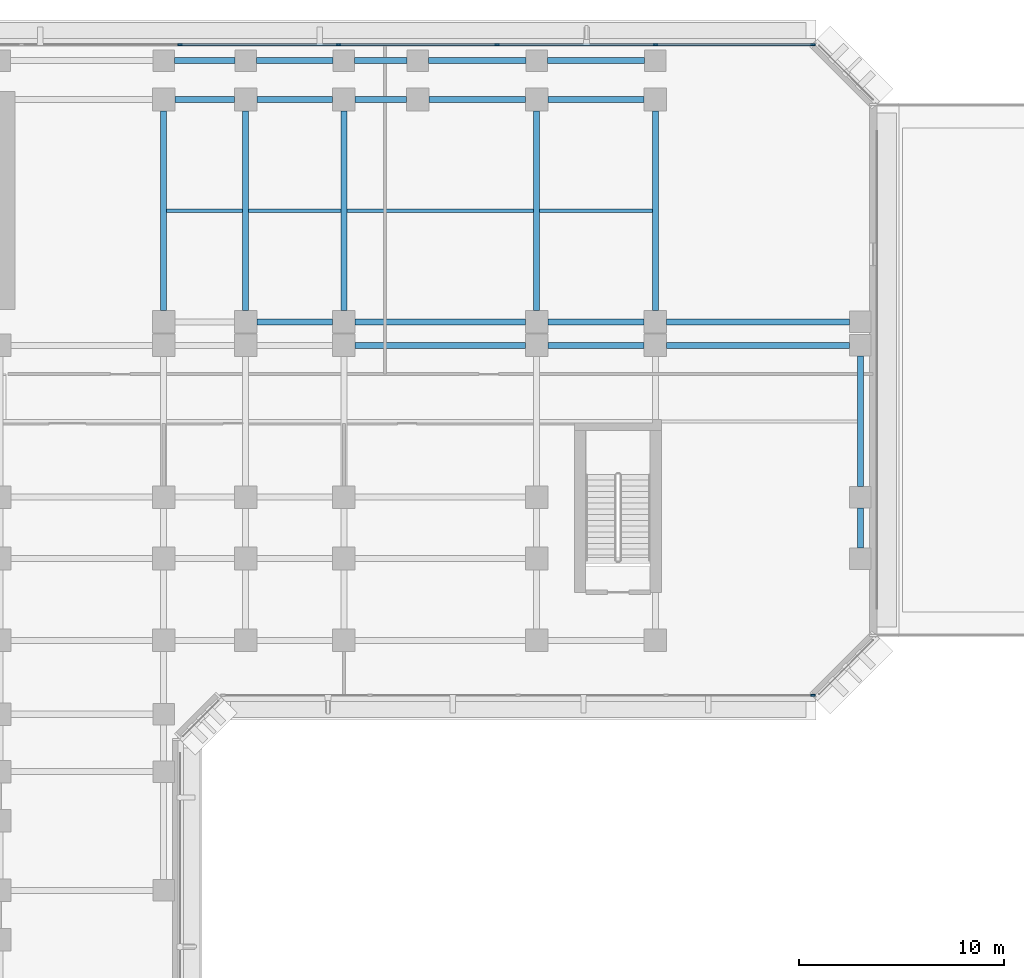
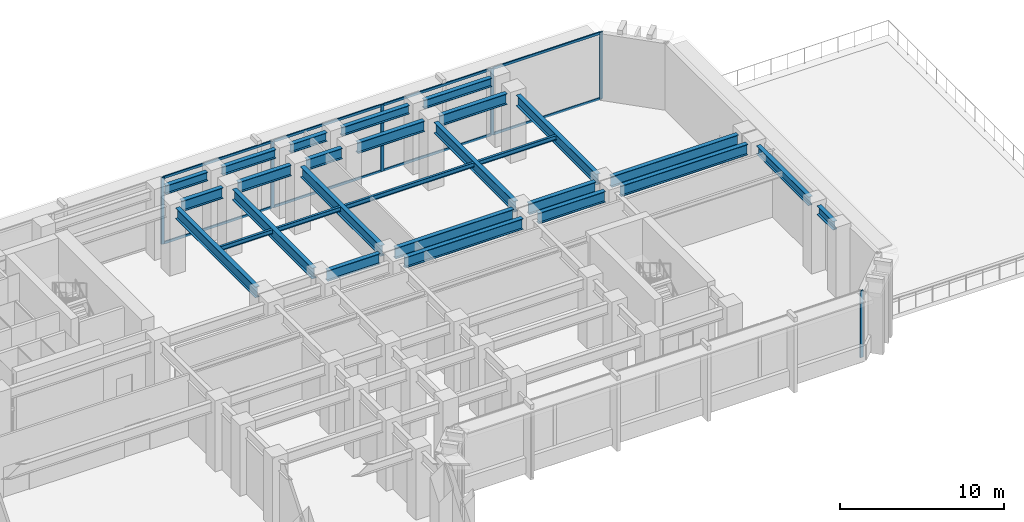
# One storey, part 5 of 16: 28 beams, 14 members, 2 elements without a shape of their own.
"""IFC4 building model written with IfcOpenShell, lengths in metres."""

from ifc_helpers import new_model, si_unit, direction, frame, origin, origin_2d, place, context, subcontext, project, spatial, rectangle, i_section, extrude, material, layer, layer_set, material_profile, profile_set, type_object, element, aggregate, save


model = new_model("IFC4")

# Units and contexts
model_context = context("Model", 3, precision=1e-05, world=origin(), true_north=direction((0.0, 1.0)))
body_context = subcontext(model_context, "Body", "Model", "MODEL_VIEW")
ifc_project = project(units=[si_unit("LENGTHUNIT", "METRE"), si_unit("AREAUNIT", "SQUARE_METRE"), si_unit("VOLUMEUNIT", "CUBIC_METRE"), si_unit("PLANEANGLEUNIT", "RADIAN"), si_unit("MASSUNIT", "GRAM", prefix="KILO")], contexts=[model_context])

# Site, building, storey
site_placement = place(None, origin())
site = spatial("IfcSite", under=ifc_project, at=site_placement, CompositionType="ELEMENT")
building_placement = place(site_placement, origin())
building = spatial("IfcBuilding", under=site, at=building_placement, Name="Kefirva Bronze Tower", CompositionType="ELEMENT")
storey_placement = place(building_placement, frame((0.0, 0.0, 11.219970703125)))
storey = spatial("IfcBuildingStorey", under=building, at=storey_placement, Name="L02", CompositionType="ELEMENT", Elevation=11.219970703125)

# Curtain wall, member
ifc_material_1 = material(Name="Bronze anodised aluminium", Category="aluminium")
ifc_layer = layer(ifc_material_1, 0.239990234375, Name="Bronze anodised aluminium")
ifc_layer_set = layer_set([ifc_layer], Name="Bronze anodised aluminium")
curtain_wall_type = type_object("IfcCurtainWallType", Name="Podium Double-Height Glazed Curtain Wall", PredefinedType="USERDEFINED", material=ifc_layer_set)
curtain_wall_1_placement = place(storey_placement, origin())
curtain_wall_1 = element("IfcCurtainWall", 1, at=curtain_wall_1_placement, inside=storey, type_object=curtain_wall_type, Name="L02 Curtain Wall 2", ObjectType="UNITISED CURTAIN WALL", PredefinedType="USERDEFINED")
ifc_material_profile_1 = material_profile(ifc_material_1, rectangle(XDim=0.090087890625, YDim=0.219970703125, at=origin_2d()), Name="ALU 90x220")
ifc_profile_set_1 = profile_set([ifc_material_profile_1], Name="Bronze anodised aluminium")
member_type_1 = type_object("IfcMemberType", Name="Bronze Mullion 90x220", PredefinedType="MULLION", material=ifc_profile_set_1)
member_1_placement = place(storey_placement, frame((62.89990234375, 16.1201171875, 0.0), z_axis=(0.0, 0.0, 1.0), x_axis=(0.0, 1.0, 0.0)))
member_1 = element("IfcMember", 2, at=member_1_placement, type_object=member_type_1, Name="CW-05 mullion 5", PredefinedType="MULLION", context=body_context, shape_type="SweptSolid", body=[
    extrude(rectangle(XDim=0.090087890625, YDim=0.219970703125, at=origin_2d()), origin(), (0.0, 0.0, 1.0), 4.9599609375),
])
aggregate(curtain_wall_1, [member_1])

# Curtain wall, members
curtain_wall_2_placement = place(storey_placement, origin())
curtain_wall_2 = element("IfcCurtainWall", 3, at=curtain_wall_2_placement, inside=storey, type_object=curtain_wall_type, Name="L02 Curtain Wall 3", ObjectType="UNITISED CURTAIN WALL", PredefinedType="USERDEFINED")
member_2_placement = place(storey_placement, frame((62.89990234375, 47.8798828125, 0.0), z_axis=(0.0, 0.0, 1.0), x_axis=(0.0, -1.0, 0.0)))
member_2 = element("IfcMember", 4, at=member_2_placement, type_object=member_type_1, Name="CW-05 mullion 1", PredefinedType="MULLION", context=body_context, shape_type="SweptSolid", body=[
    extrude(rectangle(XDim=0.090087890625, YDim=0.219970703125, at=origin_2d()), origin(), (0.0, 0.0, 1.0), 4.9599609375),
])
member_3_placement = place(storey_placement, frame((55.208740234375, 47.8798828125, 0.0), z_axis=(0.0, 0.0, 1.0), x_axis=(0.0, -1.0, 0.0)))
member_3 = element("IfcMember", 5, at=member_3_placement, type_object=member_type_1, Name="CW-05 mullion 2", PredefinedType="MULLION", context=body_context, shape_type="SweptSolid", body=[
    extrude(rectangle(XDim=0.090087890625, YDim=0.219970703125, at=origin_2d()), origin(), (0.0, 0.0, 1.0), 4.9599609375),
])
member_4_placement = place(storey_placement, frame((47.472412109375, 47.8798828125, 0.0), z_axis=(0.0, 0.0, 1.0), x_axis=(0.0, -1.0, 0.0)))
member_4 = element("IfcMember", 6, at=member_4_placement, type_object=member_type_1, Name="CW-05 mullion 3", PredefinedType="MULLION", context=body_context, shape_type="SweptSolid", body=[
    extrude(rectangle(XDim=0.090087890625, YDim=0.219970703125, at=origin_2d()), origin(), (0.0, 0.0, 1.0), 4.9599609375),
])
member_5_placement = place(storey_placement, frame((39.736328125, 47.8798828125, 0.0), z_axis=(0.0, 0.0, 1.0), x_axis=(0.0, -1.0, 0.0)))
member_5 = element("IfcMember", 7, at=member_5_placement, type_object=member_type_1, Name="CW-05 mullion 4", PredefinedType="MULLION", context=body_context, shape_type="SweptSolid", body=[
    extrude(rectangle(XDim=0.090087890625, YDim=0.219970703125, at=origin_2d()), origin(), (0.0, 0.0, 1.0), 4.9599609375),
])
member_6_placement = place(storey_placement, frame((32.0, 47.8798828125, 0.0), z_axis=(0.0, 0.0, 1.0), x_axis=(0.0, -1.0, 0.0)))
member_6 = element("IfcMember", 8, at=member_6_placement, type_object=member_type_1, Name="CW-05 mullion 5", PredefinedType="MULLION", context=body_context, shape_type="SweptSolid", body=[
    extrude(rectangle(XDim=0.090087890625, YDim=0.219970703125, at=origin_2d()), origin(), (0.0, 0.0, 1.0), 4.9599609375),
])
ifc_material_profile_2 = material_profile(ifc_material_1, rectangle(XDim=0.090087890625, YDim=0.179931640625, at=origin_2d()), Name="ALU 90x180")
ifc_profile_set_2 = profile_set([ifc_material_profile_2], Name="Bronze anodised aluminium")
member_type_2 = type_object("IfcMemberType", Name="Bronze Transom 90x180", PredefinedType="USERDEFINED", material=ifc_profile_set_2)
member_7_placement = place(storey_placement, frame((62.85498046875, 47.8798828125, 0.044921875), z_axis=(-1.0, 0.0, 0.0), x_axis=(0.0, -1.0, 0.0)))
member_7 = element("IfcMember", 9, at=member_7_placement, type_object=member_type_2, Name="CW-05 transom 1.1", ObjectType="TRANSOM", PredefinedType="USERDEFINED", context=body_context, shape_type="SweptSolid", body=[
    extrude(rectangle(XDim=0.090087890625, YDim=0.179931640625, at=origin_2d()), origin(), (0.0, 0.0, 1.0), 7.601318359375),
])
member_8_placement = place(storey_placement, frame((62.85498046875, 47.8798828125, 4.9150390625), z_axis=(-1.0, 0.0, 0.0), x_axis=(0.0, -1.0, 0.0)))
member_8 = element("IfcMember", 10, at=member_8_placement, type_object=member_type_2, Name="CW-05 transom 1.2", ObjectType="TRANSOM", PredefinedType="USERDEFINED", context=body_context, shape_type="SweptSolid", body=[
    extrude(rectangle(XDim=0.090087890625, YDim=0.179931640625, at=origin_2d()), origin(), (0.0, 0.0, 1.0), 7.601318359375),
])
member_9_placement = place(storey_placement, frame((55.163818359375, 47.8798828125, 0.044921875), z_axis=(-1.0, 0.0, 0.0), x_axis=(0.0, -1.0, 0.0)))
member_9 = element("IfcMember", 11, at=member_9_placement, type_object=member_type_2, Name="CW-05 transom 2.1", ObjectType="TRANSOM", PredefinedType="USERDEFINED", context=body_context, shape_type="SweptSolid", body=[
    extrude(rectangle(XDim=0.090087890625, YDim=0.179931640625, at=origin_2d()), origin(), (0.0, 0.0, 1.0), 7.646240234375),
])
member_10_placement = place(storey_placement, frame((55.163818359375, 47.8798828125, 4.9150390625), z_axis=(-1.0, 0.0, 0.0), x_axis=(0.0, -1.0, 0.0)))
member_10 = element("IfcMember", 12, at=member_10_placement, type_object=member_type_2, Name="CW-05 transom 2.2", ObjectType="TRANSOM", PredefinedType="USERDEFINED", context=body_context, shape_type="SweptSolid", body=[
    extrude(rectangle(XDim=0.090087890625, YDim=0.179931640625, at=origin_2d()), origin(), (0.0, 0.0, 1.0), 7.646240234375),
])
member_11_placement = place(storey_placement, frame((47.427490234375, 47.8798828125, 0.044921875), z_axis=(-1.0, 0.0, 0.0), x_axis=(0.0, -1.0, 0.0)))
member_11 = element("IfcMember", 13, at=member_11_placement, type_object=member_type_2, Name="CW-05 transom 3.1", ObjectType="TRANSOM", PredefinedType="USERDEFINED", context=body_context, shape_type="SweptSolid", body=[
    extrude(rectangle(XDim=0.090087890625, YDim=0.179931640625, at=origin_2d()), origin(), (0.0, 0.0, 1.0), 7.646240234375),
])
member_12_placement = place(storey_placement, frame((47.427490234375, 47.8798828125, 4.9150390625), z_axis=(-1.0, 0.0, 0.0), x_axis=(0.0, -1.0, 0.0)))
member_12 = element("IfcMember", 14, at=member_12_placement, type_object=member_type_2, Name="CW-05 transom 3.2", ObjectType="TRANSOM", PredefinedType="USERDEFINED", context=body_context, shape_type="SweptSolid", body=[
    extrude(rectangle(XDim=0.090087890625, YDim=0.179931640625, at=origin_2d()), origin(), (0.0, 0.0, 1.0), 7.646240234375),
])
member_13_placement = place(storey_placement, frame((39.691162109375, 47.8798828125, 0.044921875), z_axis=(-1.0, 0.0, 0.0), x_axis=(0.0, -1.0, 0.0)))
member_13 = element("IfcMember", 15, at=member_13_placement, type_object=member_type_2, Name="CW-05 transom 4.1", ObjectType="TRANSOM", PredefinedType="USERDEFINED", context=body_context, shape_type="SweptSolid", body=[
    extrude(rectangle(XDim=0.090087890625, YDim=0.179931640625, at=origin_2d()), origin(), (0.0, 0.0, 1.0), 7.646240234375),
])
member_14_placement = place(storey_placement, frame((39.691162109375, 47.8798828125, 4.9150390625), z_axis=(-1.0, 0.0, 0.0), x_axis=(0.0, -1.0, 0.0)))
member_14 = element("IfcMember", 16, at=member_14_placement, type_object=member_type_2, Name="CW-05 transom 4.2", ObjectType="TRANSOM", PredefinedType="USERDEFINED", context=body_context, shape_type="SweptSolid", body=[
    extrude(rectangle(XDim=0.090087890625, YDim=0.179931640625, at=origin_2d()), origin(), (0.0, 0.0, 1.0), 7.646240234375),
])
aggregate(curtain_wall_2, [member_2, member_3, member_4, member_5, member_6, member_7, member_8, member_9, member_10, member_11, member_12, member_13, member_14])

# Beams
ifc_material_2 = material(Name="Steel S355", Category="steel")
ifc_material_profile_3 = material_profile(ifc_material_2, i_section(OverallWidth=0.159912109375, OverallDepth=0.330078125, WebThickness=0.007568359375, FlangeThickness=0.011474609375, at=origin_2d()), Name="IPE 330")
ifc_profile_set_3 = profile_set([ifc_material_profile_3], Name="Steel S355")
beam_type_1 = type_object("IfcBeamType", Name="Steel Floor Joist IPE 330", PredefinedType="JOIST", material=ifc_profile_set_3)
beam_1_placement = place(storey_placement, frame((31.35009765625, 39.77490234375, 4.794921875), z_axis=(1.0, 0.0, 0.0), x_axis=(0.0, 1.0, 0.0)))
element("IfcBeam", 17, at=beam_1_placement, inside=storey, type_object=beam_type_1, Name="L02 JST-L02-31-397", PredefinedType="JOIST", context=body_context, shape_type="SweptSolid", body=[
    extrude(i_section(OverallWidth=0.159912109375, OverallDepth=0.330078125, WebThickness=0.007568359375, FlangeThickness=0.011474609375, at=origin_2d()), origin(), (0.0, 0.0, 1.0), 3.699951171875),
])
beam_2_placement = place(storey_placement, frame((35.35009765625, 39.77490234375, 4.794921875), z_axis=(1.0, 0.0, 0.0), x_axis=(0.0, 1.0, 0.0)))
element("IfcBeam", 18, at=beam_2_placement, inside=storey, type_object=beam_type_1, Name="L02 JST-L02-35-397", PredefinedType="JOIST", context=body_context, shape_type="SweptSolid", body=[
    extrude(i_section(OverallWidth=0.159912109375, OverallDepth=0.330078125, WebThickness=0.007568359375, FlangeThickness=0.011474609375, at=origin_2d()), origin(), (0.0, 0.0, 1.0), 4.5),
])
beam_3_placement = place(storey_placement, frame((40.14990234375, 39.77490234375, 4.794921875), z_axis=(1.0, 0.0, 0.0), x_axis=(0.0, 1.0, 0.0)))
element("IfcBeam", 19, at=beam_3_placement, inside=storey, type_object=beam_type_1, Name="L02 JST-L02-40-397", PredefinedType="JOIST", context=body_context, shape_type="SweptSolid", body=[
    extrude(i_section(OverallWidth=0.159912109375, OverallDepth=0.330078125, WebThickness=0.007568359375, FlangeThickness=0.011474609375, at=origin_2d()), origin(), (0.0, 0.0, 1.0), 9.10009765625),
])
beam_4_placement = place(storey_placement, frame((49.550048828125, 39.77490234375, 4.794921875), z_axis=(1.0, 0.0, 0.0), x_axis=(0.0, 1.0, 0.0)))
element("IfcBeam", 20, at=beam_4_placement, inside=storey, type_object=beam_type_1, Name="L02 JST-L02-49-397", PredefinedType="JOIST", context=body_context, shape_type="SweptSolid", body=[
    extrude(i_section(OverallWidth=0.159912109375, OverallDepth=0.330078125, WebThickness=0.007568359375, FlangeThickness=0.011474609375, at=origin_2d()), origin(), (0.0, 0.0, 1.0), 5.5),
])
ifc_material_profile_4 = material_profile(ifc_material_2, i_section(OverallWidth=0.300048828125, OverallDepth=0.800048828125, WebThickness=0.017578125, FlangeThickness=0.032958984375, at=origin_2d()), Name="HEB 800")
ifc_profile_set_4 = profile_set([ifc_material_profile_4], Name="Steel S355")
beam_type_2 = type_object("IfcBeamType", Name="Steel Girder HEB 800", PredefinedType="USERDEFINED", material=ifc_profile_set_4)
beam_5_placement = place(storey_placement, frame((40.550048828125, 33.199951171875, 4.56005859375), z_axis=(1.0, 0.0, 0.0), x_axis=(0.0, 1.0, 0.0)))
element("IfcBeam", 21, at=beam_5_placement, inside=storey, type_object=beam_type_2, Name="L02 BM-L02-EW-40-332", ObjectType="GIRDER", PredefinedType="USERDEFINED", context=body_context, shape_type="SweptSolid", body=[
    extrude(i_section(OverallWidth=0.300048828125, OverallDepth=0.800048828125, WebThickness=0.017578125, FlangeThickness=0.032958984375, at=origin_2d()), origin(), (0.0, 0.0, 1.0), 8.300048828125),
])
beam_6_placement = place(storey_placement, frame((49.949951171875, 33.199951171875, 4.56005859375), z_axis=(1.0, 0.0, 0.0), x_axis=(0.0, 1.0, 0.0)))
element("IfcBeam", 22, at=beam_6_placement, inside=storey, type_object=beam_type_2, Name="L02 BM-L02-EW-49-332", ObjectType="GIRDER", PredefinedType="USERDEFINED", context=body_context, shape_type="SweptSolid", body=[
    extrude(i_section(OverallWidth=0.300048828125, OverallDepth=0.800048828125, WebThickness=0.017578125, FlangeThickness=0.032958984375, at=origin_2d()), origin(), (0.0, 0.0, 1.0), 4.699951171875),
])
beam_7_placement = place(storey_placement, frame((55.75, 33.199951171875, 4.56005859375), z_axis=(1.0, 0.0, 0.0), x_axis=(0.0, 1.0, 0.0)))
element("IfcBeam", 23, at=beam_7_placement, inside=storey, type_object=beam_type_2, Name="L02 BM-L02-EW-55-332", ObjectType="GIRDER", PredefinedType="USERDEFINED", context=body_context, shape_type="SweptSolid", body=[
    extrude(i_section(OverallWidth=0.300048828125, OverallDepth=0.800048828125, WebThickness=0.017578125, FlangeThickness=0.032958984375, at=origin_2d()), origin(), (0.0, 0.0, 1.0), 8.925048828125),
])
beam_8_placement = place(storey_placement, frame((35.75, 34.35009765625, 4.56005859375), z_axis=(1.0, 0.0, 0.0), x_axis=(0.0, 1.0, 0.0)))
element("IfcBeam", 24, at=beam_8_placement, inside=storey, type_object=beam_type_2, Name="L02 BM-L02-EW-35-344", ObjectType="GIRDER", PredefinedType="USERDEFINED", context=body_context, shape_type="SweptSolid", body=[
    extrude(i_section(OverallWidth=0.300048828125, OverallDepth=0.800048828125, WebThickness=0.017578125, FlangeThickness=0.032958984375, at=origin_2d()), origin(), (0.0, 0.0, 1.0), 3.699951171875),
])
beam_9_placement = place(storey_placement, frame((40.550048828125, 34.35009765625, 4.56005859375), z_axis=(1.0, 0.0, 0.0), x_axis=(0.0, 1.0, 0.0)))
element("IfcBeam", 25, at=beam_9_placement, inside=storey, type_object=beam_type_2, Name="L02 BM-L02-EW-40-344", ObjectType="GIRDER", PredefinedType="USERDEFINED", context=body_context, shape_type="SweptSolid", body=[
    extrude(i_section(OverallWidth=0.300048828125, OverallDepth=0.800048828125, WebThickness=0.017578125, FlangeThickness=0.032958984375, at=origin_2d()), origin(), (0.0, 0.0, 1.0), 8.300048828125),
])
beam_10_placement = place(storey_placement, frame((49.949951171875, 34.35009765625, 4.56005859375), z_axis=(1.0, 0.0, 0.0), x_axis=(0.0, 1.0, 0.0)))
element("IfcBeam", 26, at=beam_10_placement, inside=storey, type_object=beam_type_2, Name="L02 BM-L02-EW-49-344", ObjectType="GIRDER", PredefinedType="USERDEFINED", context=body_context, shape_type="SweptSolid", body=[
    extrude(i_section(OverallWidth=0.300048828125, OverallDepth=0.800048828125, WebThickness=0.017578125, FlangeThickness=0.032958984375, at=origin_2d()), origin(), (0.0, 0.0, 1.0), 4.699951171875),
])
beam_11_placement = place(storey_placement, frame((55.75, 34.35009765625, 4.56005859375), z_axis=(1.0, 0.0, 0.0), x_axis=(0.0, 1.0, 0.0)))
element("IfcBeam", 27, at=beam_11_placement, inside=storey, type_object=beam_type_2, Name="L02 BM-L02-EW-55-344", ObjectType="GIRDER", PredefinedType="USERDEFINED", context=body_context, shape_type="SweptSolid", body=[
    extrude(i_section(OverallWidth=0.300048828125, OverallDepth=0.800048828125, WebThickness=0.017578125, FlangeThickness=0.032958984375, at=origin_2d()), origin(), (0.0, 0.0, 1.0), 8.925048828125),
])
beam_12_placement = place(storey_placement, frame((31.75, 45.199951171875, 4.56005859375), z_axis=(1.0, 0.0, 0.0), x_axis=(0.0, 1.0, 0.0)))
element("IfcBeam", 28, at=beam_12_placement, inside=storey, type_object=beam_type_2, Name="L02 BM-L02-EW-31-452", ObjectType="GIRDER", PredefinedType="USERDEFINED", context=body_context, shape_type="SweptSolid", body=[
    extrude(i_section(OverallWidth=0.300048828125, OverallDepth=0.800048828125, WebThickness=0.017578125, FlangeThickness=0.032958984375, at=origin_2d()), origin(), (0.0, 0.0, 1.0), 2.89990234375),
])
beam_13_placement = place(storey_placement, frame((35.75, 45.199951171875, 4.56005859375), z_axis=(1.0, 0.0, 0.0), x_axis=(0.0, 1.0, 0.0)))
element("IfcBeam", 29, at=beam_13_placement, inside=storey, type_object=beam_type_2, Name="L02 BM-L02-EW-35-452", ObjectType="GIRDER", PredefinedType="USERDEFINED", context=body_context, shape_type="SweptSolid", body=[
    extrude(i_section(OverallWidth=0.300048828125, OverallDepth=0.800048828125, WebThickness=0.017578125, FlangeThickness=0.032958984375, at=origin_2d()), origin(), (0.0, 0.0, 1.0), 3.699951171875),
])
beam_14_placement = place(storey_placement, frame((40.550048828125, 45.199951171875, 4.56005859375), z_axis=(1.0, 0.0, 0.0), x_axis=(0.0, 1.0, 0.0)))
element("IfcBeam", 30, at=beam_14_placement, inside=storey, type_object=beam_type_2, Name="L02 BM-L02-EW-40-452", ObjectType="GIRDER", PredefinedType="USERDEFINED", context=body_context, shape_type="SweptSolid", body=[
    extrude(i_section(OverallWidth=0.300048828125, OverallDepth=0.800048828125, WebThickness=0.017578125, FlangeThickness=0.032958984375, at=origin_2d()), origin(), (0.0, 0.0, 1.0), 2.5),
])
beam_15_placement = place(storey_placement, frame((44.14990234375, 45.199951171875, 4.56005859375), z_axis=(1.0, 0.0, 0.0), x_axis=(0.0, 1.0, 0.0)))
element("IfcBeam", 31, at=beam_15_placement, inside=storey, type_object=beam_type_2, Name="L02 BM-L02-EW-43-452", ObjectType="GIRDER", PredefinedType="USERDEFINED", context=body_context, shape_type="SweptSolid", body=[
    extrude(i_section(OverallWidth=0.300048828125, OverallDepth=0.800048828125, WebThickness=0.017578125, FlangeThickness=0.032958984375, at=origin_2d()), origin(), (0.0, 0.0, 1.0), 4.7001953125),
])
beam_16_placement = place(storey_placement, frame((49.949951171875, 45.199951171875, 4.56005859375), z_axis=(1.0, 0.0, 0.0), x_axis=(0.0, 1.0, 0.0)))
element("IfcBeam", 32, at=beam_16_placement, inside=storey, type_object=beam_type_2, Name="L02 BM-L02-EW-49-452", ObjectType="GIRDER", PredefinedType="USERDEFINED", context=body_context, shape_type="SweptSolid", body=[
    extrude(i_section(OverallWidth=0.300048828125, OverallDepth=0.800048828125, WebThickness=0.017578125, FlangeThickness=0.032958984375, at=origin_2d()), origin(), (0.0, 0.0, 1.0), 4.699951171875),
])
for number, where, z_axis, x_axis, name in (
    (33, (31.199951171875, 34.89990234375, 4.56005859375), (0.0, 1.0, 0.0), (-1.0, 0.0, 0.0), "L02 BM-L02-NS-312-34"),
    (34, (35.199951171875, 34.89990234375, 4.56005859375), (0.0, 1.0, 0.0), (-1.0, 0.0, 0.0), "L02 BM-L02-NS-352-34"),
    (35, (40.0, 34.89990234375, 4.56005859375), (0.0, 1.0, 0.0), (-1.0, 0.0, 0.0), "L02 BM-L02-NS-400-34"),
    (36, (49.39990234375, 34.89990234375, 4.56005859375), (0.0, 1.0, 0.0), (-1.0, 0.0, 0.0), "L02 BM-L02-NS-494-34"),
    (37, (55.199951171875, 34.89990234375, 4.56005859375), (0.0, 1.0, 0.0), (-1.0, 0.0, 0.0), "L02 BM-L02-NS-552-34"),
):
    element("IfcBeam", number, at=place(storey_placement, frame(where, z_axis=z_axis, x_axis=x_axis)), inside=storey, type_object=beam_type_2, Name=name, ObjectType="GIRDER", PredefinedType="USERDEFINED", context=body_context, shape_type="SweptSolid", body=[
        extrude(i_section(OverallWidth=0.300048828125, OverallDepth=0.800048828125, WebThickness=0.017578125, FlangeThickness=0.032958984375, at=origin_2d()), origin(), (0.0, 0.0, 1.0), 9.75),
    ])
ifc_material_profile_5 = material_profile(ifc_material_2, i_section(OverallWidth=0.300048828125, OverallDepth=0.64990234375, WebThickness=0.01611328125, FlangeThickness=0.031005859375, at=origin_2d()), Name="HEB 650")
ifc_profile_set_5 = profile_set([ifc_material_profile_5], Name="Steel S355")
beam_type_3 = type_object("IfcBeamType", Name="Steel Spandrel HEB 650 Ext", PredefinedType="SPANDREL", material=ifc_profile_set_5)
beam_17_placement = place(storey_placement, frame((31.72509765625, 47.10009765625, 4.635009765625), z_axis=(1.0, 0.0, 0.0), x_axis=(0.0, 1.0, 0.0)))
element("IfcBeam", 38, at=beam_17_placement, inside=storey, type_object=beam_type_3, Name="L02 BM-L02-EW-31-471", PredefinedType="SPANDREL", context=body_context, shape_type="SweptSolid", body=[
    extrude(i_section(OverallWidth=0.300048828125, OverallDepth=0.64990234375, WebThickness=0.01611328125, FlangeThickness=0.031005859375, at=origin_2d()), origin(), (0.0, 0.0, 1.0), 2.949951171875),
])
beam_18_placement = place(storey_placement, frame((35.72509765625, 47.10009765625, 4.635009765625), z_axis=(1.0, 0.0, 0.0), x_axis=(0.0, 1.0, 0.0)))
element("IfcBeam", 39, at=beam_18_placement, inside=storey, type_object=beam_type_3, Name="L02 BM-L02-EW-35-471", PredefinedType="SPANDREL", context=body_context, shape_type="SweptSolid", body=[
    extrude(i_section(OverallWidth=0.300048828125, OverallDepth=0.64990234375, WebThickness=0.01611328125, FlangeThickness=0.031005859375, at=origin_2d()), origin(), (0.0, 0.0, 1.0), 3.75),
])
beam_19_placement = place(storey_placement, frame((40.52490234375, 47.10009765625, 4.635009765625), z_axis=(1.0, 0.0, 0.0), x_axis=(0.0, 1.0, 0.0)))
element("IfcBeam", 40, at=beam_19_placement, inside=storey, type_object=beam_type_3, Name="L02 BM-L02-EW-40-471", PredefinedType="SPANDREL", context=body_context, shape_type="SweptSolid", body=[
    extrude(i_section(OverallWidth=0.300048828125, OverallDepth=0.64990234375, WebThickness=0.01611328125, FlangeThickness=0.031005859375, at=origin_2d()), origin(), (0.0, 0.0, 1.0), 2.550048828125),
])
for number, where, z_axis, x_axis, name in (
    (41, (44.125, 47.10009765625, 4.635009765625), (1.0, 0.0, 0.0), (0.0, 1.0, 0.0), "L02 BM-L02-EW-43-471"),
    (42, (49.925048828125, 47.10009765625, 4.635009765625), (1.0, 0.0, 0.0), (0.0, 1.0, 0.0), "L02 BM-L02-EW-49-471"),
):
    element("IfcBeam", number, at=place(storey_placement, frame(where, z_axis=z_axis, x_axis=x_axis)), inside=storey, type_object=beam_type_3, Name=name, PredefinedType="SPANDREL", context=body_context, shape_type="SweptSolid", body=[
        extrude(i_section(OverallWidth=0.300048828125, OverallDepth=0.64990234375, WebThickness=0.01611328125, FlangeThickness=0.031005859375, at=origin_2d()), origin(), (0.0, 0.0, 1.0), 4.75),
    ])
beam_20_placement = place(storey_placement, frame((65.199951171875, 23.324951171875, 4.635009765625), z_axis=(0.0, 1.0, 0.0), x_axis=(-1.0, 0.0, 0.0)))
element("IfcBeam", 43, at=beam_20_placement, inside=storey, type_object=beam_type_3, Name="L02 BM-L02-NS-652-22", PredefinedType="SPANDREL", context=body_context, shape_type="SweptSolid", body=[
    extrude(i_section(OverallWidth=0.300048828125, OverallDepth=0.64990234375, WebThickness=0.01611328125, FlangeThickness=0.031005859375, at=origin_2d()), origin(), (0.0, 0.0, 1.0), 1.949951171875),
])
beam_21_placement = place(storey_placement, frame((65.199951171875, 26.324951171875, 4.635009765625), z_axis=(0.0, 1.0, 0.0), x_axis=(-1.0, 0.0, 0.0)))
element("IfcBeam", 44, at=beam_21_placement, inside=storey, type_object=beam_type_3, Name="L02 BM-L02-NS-652-25", PredefinedType="SPANDREL", context=body_context, shape_type="SweptSolid", body=[
    extrude(i_section(OverallWidth=0.300048828125, OverallDepth=0.64990234375, WebThickness=0.01611328125, FlangeThickness=0.031005859375, at=origin_2d()), origin(), (0.0, 0.0, 1.0), 6.35009765625),
])

save(model, "model.ifc")
